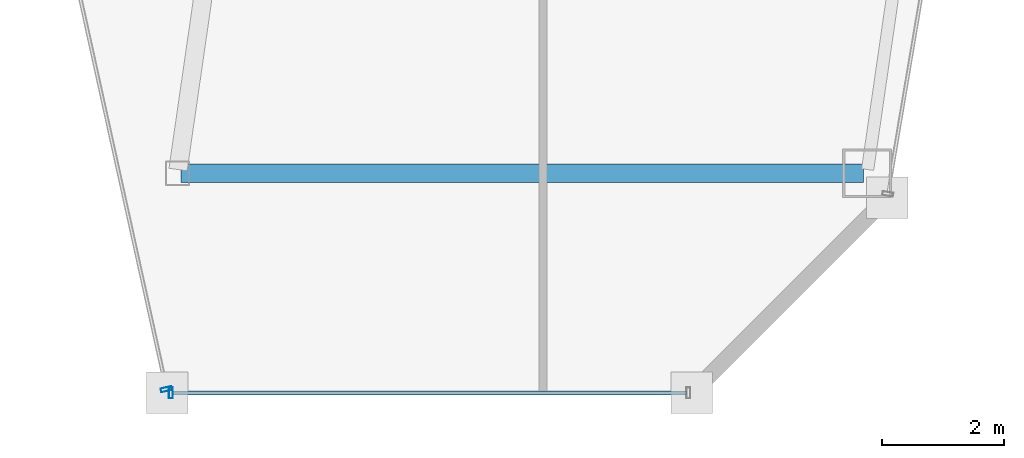
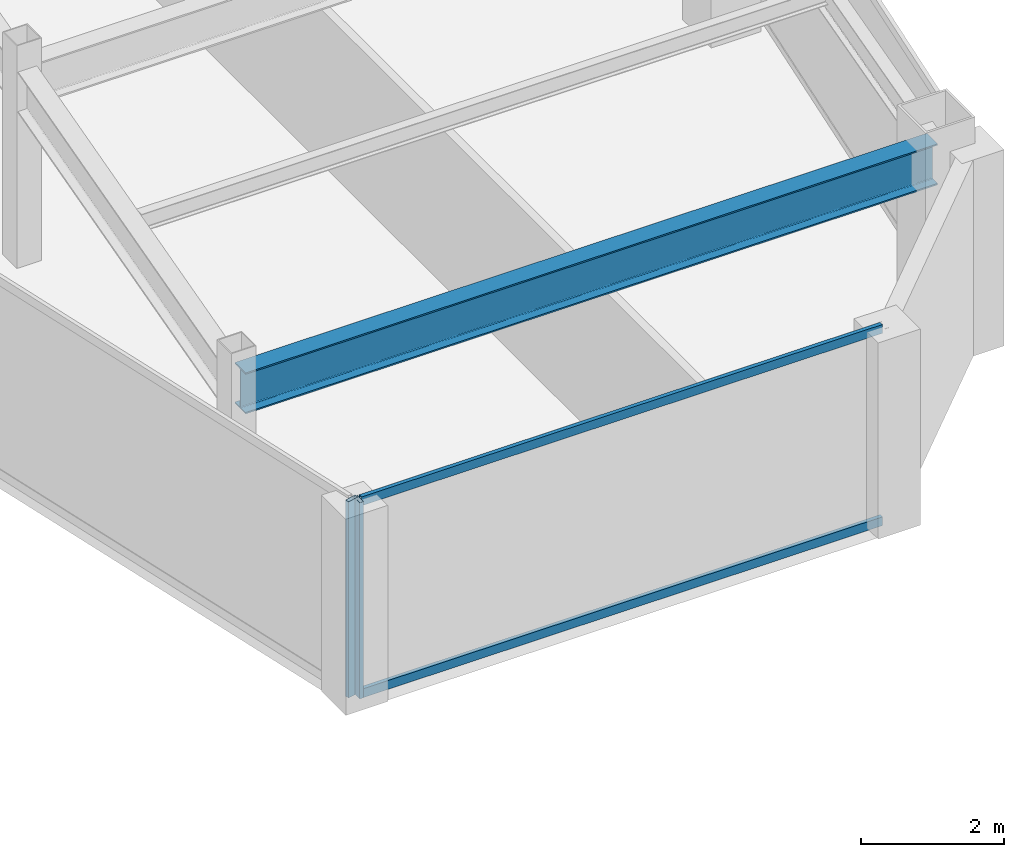
# One storey, part 14 of 34: 4 members, 1 beam, 2 elements without a shape of their own.
"""IFC4 building model written with IfcOpenShell, lengths in metres."""

from ifc_helpers import new_model, si_unit, direction, frame, origin, origin_2d, place, context, subcontext, project, spatial, hollow_rectangle, i_section, extrude, material, material_profile, profile_set, type_object, element, aggregate, save


model = new_model("IFC4")

# Units and contexts
model_context = context("Model", 3, precision=1e-05, world=origin(), true_north=direction((0.0, 1.0)))
body_context = subcontext(model_context, "Body", "Model", "MODEL_VIEW")
ifc_project = project(units=[si_unit("LENGTHUNIT", "METRE"), si_unit("AREAUNIT", "SQUARE_METRE"), si_unit("VOLUMEUNIT", "CUBIC_METRE"), si_unit("PLANEANGLEUNIT", "RADIAN"), si_unit("MASSUNIT", "GRAM", prefix="KILO")], contexts=[model_context])

# Site, building, storey
site_placement = place(None, origin())
site = spatial("IfcSite", under=ifc_project, at=site_placement, CompositionType="ELEMENT")
building_placement = place(site_placement, origin())
building = spatial("IfcBuilding", under=site, at=building_placement, Name="Saevonmaru Cultural Tower", CompositionType="ELEMENT")
storey_placement = place(building_placement, frame((0.0, 0.0, 220.800048828125)))
storey = spatial("IfcBuildingStorey", under=building, at=storey_placement, Name="L51", CompositionType="ELEMENT", Elevation=220.800048828125)

# Beam
ifc_material_1 = material(Name="Steel SM355", Category="steel")
ifc_material_profile_1 = material_profile(ifc_material_1, i_section(OverallWidth=0.300048828125, OverallDepth=0.699951171875, WebThickness=0.012939453125, FlangeThickness=0.02392578125, FilletRadius=0.02587890625, at=origin_2d()), Name="H-700x300x13x24")
ifc_profile_set_1 = profile_set([ifc_material_profile_1], Name="Steel SM355")
beam_type = type_object("IfcBeamType", Name="BM-G-H700", PredefinedType="BEAM", material=ifc_profile_set_1)
beam_placement = place(storey_placement, frame((38.132080078125, 16.0, 3.0), z_axis=(1.0, 0.0, 0.0), x_axis=(0.0, 1.0, 0.0)))
element("IfcBeam", 1, at=beam_placement, inside=storey, type_object=beam_type, Name="L51 East Wing Transverse Girder 1", PredefinedType="BEAM", context=body_context, shape_type="SweptSolid", body=[
    extrude(i_section(OverallWidth=0.300048828125, OverallDepth=0.699951171875, WebThickness=0.012939453125, FlangeThickness=0.02392578125, FilletRadius=0.02587890625, at=origin_2d()), origin(), (0.0, 0.0, 1.0), 11.179931640625),
])

# Curtain wall, member
ifc_material_2 = material(Name="Satin Bronze Anodised Aluminium", Category="aluminium")
curtain_wall_type = type_object("IfcCurtainWallType", Name="CW-TYP-B", PredefinedType="NOTDEFINED", material=ifc_material_2)
curtain_wall_1_placement = place(storey_placement, origin())
curtain_wall_1 = element("IfcCurtainWall", 2, at=curtain_wall_1_placement, inside=storey, type_object=curtain_wall_type, Name="L51 Unitised Curtain Wall E5", PredefinedType="NOTDEFINED")
ifc_material_profile_2 = material_profile(ifc_material_2, hollow_rectangle(XDim=0.06494140625, YDim=0.179931640625, WallThickness=0.00390625, at=origin_2d()), Name="ALU-MULL-180x65x4")
ifc_profile_set_2 = profile_set([ifc_material_profile_2], Name="Satin Bronze Anodised Aluminium")
member_type_1 = type_object("IfcMemberType", Name="ML-CW-180x65", PredefinedType="MULLION", material=ifc_profile_set_2)
member_1_placement = place(storey_placement, frame((37.889404296875, 12.45849609375, 0.0), z_axis=(0.0, 0.0, 1.0), x_axis=(0.215413319953, -0.976522965212, 0.0)))
member_1 = element("IfcMember", 3, at=member_1_placement, type_object=member_type_1, Name="CW-TW-L51-E5 mullion 2", PredefinedType="MULLION", context=body_context, shape_type="SweptSolid", body=[
    extrude(hollow_rectangle(XDim=0.06494140625, YDim=0.179931640625, WallThickness=0.00390625, at=origin_2d()), origin(), (0.0, 0.0, 1.0), 3.349853515625),
])
aggregate(curtain_wall_1, [member_1])

# Curtain wall, members
curtain_wall_2_placement = place(storey_placement, origin())
curtain_wall_2 = element("IfcCurtainWall", 4, at=curtain_wall_2_placement, inside=storey, type_object=curtain_wall_type, Name="L51 Unitised Curtain Wall E6", PredefinedType="NOTDEFINED")
member_2_placement = place(storey_placement, frame((37.962158203125, 12.39990234375, 0.0), z_axis=(0.0, 0.0, 1.0), x_axis=(1.0, 0.0, 0.0)))
member_2 = element("IfcMember", 5, at=member_2_placement, type_object=member_type_1, Name="CW-TW-L51-E6 mullion 1", PredefinedType="MULLION", context=body_context, shape_type="SweptSolid", body=[
    extrude(hollow_rectangle(XDim=0.06494140625, YDim=0.179931640625, WallThickness=0.00390625, at=origin_2d()), origin(), (0.0, 0.0, 1.0), 3.349853515625),
])
ifc_material_profile_3 = material_profile(ifc_material_2, hollow_rectangle(XDim=0.06494140625, YDim=0.14990234375, WallThickness=0.00390625, at=origin_2d()), Name="ALU-TRAN-150x65x4")
ifc_profile_set_3 = profile_set([ifc_material_profile_3], Name="Satin Bronze Anodised Aluminium")
member_type_2 = type_object("IfcMemberType", Name="TR-CW-150x65", PredefinedType="USERDEFINED", material=ifc_profile_set_3)
member_3_placement = place(storey_placement, frame((37.99462890625, 12.39990234375, 0.032470703125), z_axis=(1.0, 0.0, 0.0), x_axis=(0.0, 1.0, 0.0)))
member_3 = element("IfcMember", 6, at=member_3_placement, type_object=member_type_2, Name="CW-TW-L51-E6 transom 1.1", ObjectType="TRANSOM", PredefinedType="USERDEFINED", context=body_context, shape_type="SweptSolid", body=[
    extrude(hollow_rectangle(XDim=0.06494140625, YDim=0.14990234375, WallThickness=0.00390625, at=origin_2d()), origin(), (0.0, 0.0, 1.0), 8.4150390625),
])
member_4_placement = place(storey_placement, frame((37.99462890625, 12.39990234375, 3.3173828125), z_axis=(1.0, 0.0, 0.0), x_axis=(0.0, 1.0, 0.0)))
member_4 = element("IfcMember", 7, at=member_4_placement, type_object=member_type_2, Name="CW-TW-L51-E6 transom 1.2", ObjectType="TRANSOM", PredefinedType="USERDEFINED", context=body_context, shape_type="SweptSolid", body=[
    extrude(hollow_rectangle(XDim=0.06494140625, YDim=0.14990234375, WallThickness=0.00390625, at=origin_2d()), origin(), (0.0, 0.0, 1.0), 8.4150390625),
])
aggregate(curtain_wall_2, [member_2, member_3, member_4])

save(model, "model.ifc")
